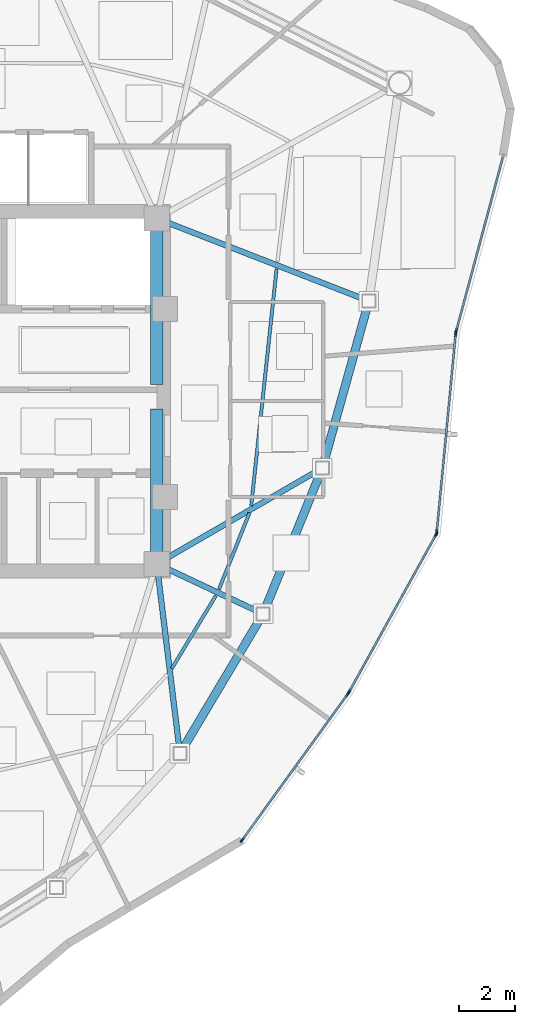
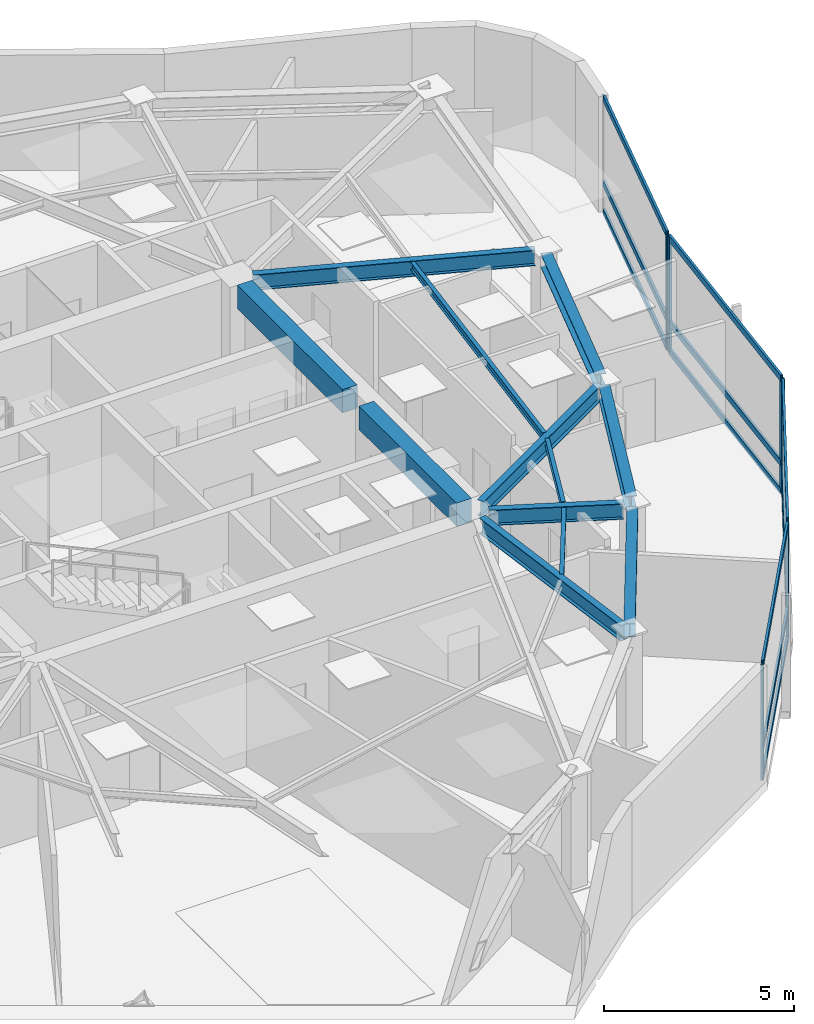
# One storey, part 4 of 12: 19 members, 12 beams, 4 elements without a shape of their own.
"""IFC4 building model written with IfcOpenShell, lengths in metres."""

from ifc_helpers import new_model, si_unit, direction, frame, origin, origin_2d, place, context, subcontext, project, spatial, rectangle, hollow_rectangle, i_section, extrude, source, transform, mapped, material, layer, layer_set, material_profile, profile_set, type_object, type_shapes, element, aggregate, save


model = new_model("IFC4")

# Units and contexts
model_context = context("Model", 3, precision=1e-05, world=origin(), true_north=direction((0.0, 1.0)))
body_context = subcontext(model_context, "Body", "Model", "MODEL_VIEW")
ifc_project = project(units=[si_unit("LENGTHUNIT", "METRE"), si_unit("AREAUNIT", "SQUARE_METRE"), si_unit("VOLUMEUNIT", "CUBIC_METRE"), si_unit("PLANEANGLEUNIT", "RADIAN"), si_unit("MASSUNIT", "GRAM", prefix="KILO")], contexts=[model_context])

# Site, building, storey
site_placement = place(None, origin())
site = spatial("IfcSite", under=ifc_project, at=site_placement, CompositionType="ELEMENT")
building_placement = place(site_placement, origin())
building = spatial("IfcBuilding", under=site, at=building_placement, Name="Tavelor Broadcast Tower", CompositionType="ELEMENT")
storey_placement = place(building_placement, frame((0.0, 0.0, 285.5)))
storey = spatial("IfcBuildingStorey", under=building, at=storey_placement, Name="L68", CompositionType="ELEMENT", Elevation=285.5)

# Beams
ifc_material_1 = material(Name="Concrete C40/50", Category="concrete")
ifc_material_profile_1 = material_profile(ifc_material_1, rectangle(XDim=0.449951171875, YDim=0.75, at=origin_2d()), Name="RC 450x750")
ifc_profile_set_1 = profile_set([ifc_material_profile_1], Name="Concrete C40/50")
beam_type_1 = type_object("IfcBeamType", Name="Basement Core Trim Beam 450x750", PredefinedType="BEAM", material=ifc_profile_set_1)
beam_1_placement = place(storey_placement, frame((56.60009765625, 45.23193359375, 3.324951171875), z_axis=(0.0, 1.0, 0.0), x_axis=(-1.0, 0.0, 0.0)))
element("IfcBeam", 1, at=beam_1_placement, inside=storey, type_object=beam_type_1, Name="L68 Core East-N Tie Girder", PredefinedType="BEAM", context=body_context, shape_type="SweptSolid", body=[
    extrude(rectangle(XDim=0.449951171875, YDim=0.75, at=origin_2d()), origin(), (0.0, 0.0, 1.0), 5.5361328125),
])
beam_2_placement = place(storey_placement, frame((56.60009765625, 39.23193359375, 3.324951171875), z_axis=(0.0, 1.0, 0.0), x_axis=(-1.0, 0.0, 0.0)))
element("IfcBeam", 2, at=beam_2_placement, inside=storey, type_object=beam_type_1, Name="L68 Core East-S Tie Girder", PredefinedType="BEAM", context=body_context, shape_type="SweptSolid", body=[
    extrude(rectangle(XDim=0.449951171875, YDim=0.75, at=origin_2d()), origin(), (0.0, 0.0, 1.0), 5.135986328125),
])
ifc_material_2 = material(Name="Steel S355", Category="steel")
ifc_material_profile_2 = material_profile(ifc_material_2, i_section(OverallWidth=0.1201171875, OverallDepth=0.239990234375, WebThickness=0.006103515625, FlangeThickness=0.009765625, at=origin_2d()), Name="IPE 240")
ifc_profile_set_2 = profile_set([ifc_material_profile_2], Name="Steel S355")
beam_type_2 = type_object("IfcBeamType", Name="Composite Floor Joist T7 IPE 240", PredefinedType="JOIST", material=ifc_profile_set_2)
beam_3_placement = place(storey_placement, frame((57.13916015625, 35.042724609375, 3.580078125), z_axis=(0.517298358592, 0.855805122793, 0.0), x_axis=(-0.855805122793, 0.517298358592, 0.0)))
element("IfcBeam", 3, at=beam_3_placement, inside=storey, type_object=beam_type_2, Name="L68 Secondary Composite Floor Joist 09", PredefinedType="JOIST", context=body_context, shape_type="SweptSolid", body=[
    extrude(i_section(OverallWidth=0.1201171875, OverallDepth=0.239990234375, WebThickness=0.006103515625, FlangeThickness=0.009765625, at=origin_2d()), origin(), (0.0, 0.0, 1.0), 3.058837890625),
])
beam_4_placement = place(storey_placement, frame((58.8359375, 37.890625, 3.580078125), z_axis=(0.370036486067, 0.929017222111, 0.0), x_axis=(-0.929017222111, 0.370036486067, 0.0)))
element("IfcBeam", 4, at=beam_4_placement, inside=storey, type_object=beam_type_2, Name="L68 Secondary Composite Floor Joist 10", PredefinedType="JOIST", context=body_context, shape_type="SweptSolid", body=[
    extrude(i_section(OverallWidth=0.1201171875, OverallDepth=0.239990234375, WebThickness=0.006103515625, FlangeThickness=0.009765625, at=origin_2d()), origin(), (0.0, 0.0, 1.0), 2.953857421875),
])
beam_5_placement = place(storey_placement, frame((59.990478515625, 40.8828125, 3.580078125), z_axis=(0.106517007909, 0.994310880473, 0.0), x_axis=(-0.994310880473, 0.106517007909, 0.0)))
element("IfcBeam", 5, at=beam_5_placement, inside=storey, type_object=beam_type_2, Name="L68 Secondary Composite Floor Joist 11", PredefinedType="JOIST", context=body_context, shape_type="SweptSolid", body=[
    extrude(i_section(OverallWidth=0.1201171875, OverallDepth=0.239990234375, WebThickness=0.006103515625, FlangeThickness=0.009765625, at=origin_2d()), origin(), (0.0, 0.0, 1.0), 8.558349609375),
])
ifc_material_profile_3 = material_profile(ifc_material_2, i_section(OverallWidth=0.300048828125, OverallDepth=0.43994140625, WebThickness=0.011474609375, FlangeThickness=0.02099609375, at=origin_2d()), Name="HEA 450")
ifc_profile_set_3 = profile_set([ifc_material_profile_3], Name="Steel S355")
beam_type_3 = type_object("IfcBeamType", Name="Perimeter Spandrel Beam T7 HEA 450", PredefinedType="SPANDREL", material=ifc_profile_set_3)
beam_6_placement = place(storey_placement, frame((57.55419921875, 32.1982421875, 3.47998046875), z_axis=(0.511838109634, 0.859081922477, 0.0), x_axis=(-0.859081922477, 0.511838109634, 0.0)))
element("IfcBeam", 6, at=beam_6_placement, inside=storey, type_object=beam_type_3, Name="L68 Framed-Tube Ring Spandrel 09", PredefinedType="SPANDREL", context=body_context, shape_type="SweptSolid", body=[
    extrude(i_section(OverallWidth=0.300048828125, OverallDepth=0.43994140625, WebThickness=0.011474609375, FlangeThickness=0.02099609375, at=origin_2d()), origin(), (0.0, 0.0, 1.0), 5.354736328125),
])
beam_7_placement = place(storey_placement, frame((60.5078125, 37.226806640625, 3.47998046875), z_axis=(0.376269405566, 0.926510299152, 0.0), x_axis=(-0.926510299152, 0.376269405566, 0.0)))
element("IfcBeam", 7, at=beam_7_placement, inside=storey, type_object=beam_type_3, Name="L68 Framed-Tube Ring Spandrel 10", PredefinedType="SPANDREL", context=body_context, shape_type="SweptSolid", body=[
    extrude(i_section(OverallWidth=0.300048828125, OverallDepth=0.43994140625, WebThickness=0.011474609375, FlangeThickness=0.02099609375, at=origin_2d()), origin(), (0.0, 0.0, 1.0), 5.17138671875),
])
beam_8_placement = place(storey_placement, frame((62.608154296875, 42.4716796875, 3.47998046875), z_axis=(0.268356099851, 0.963319782664, 0.0), x_axis=(-0.963319782664, 0.268356099851, 0.0)))
element("IfcBeam", 8, at=beam_8_placement, inside=storey, type_object=beam_type_3, Name="L68 Framed-Tube Ring Spandrel 11", PredefinedType="SPANDREL", context=body_context, shape_type="SweptSolid", body=[
    extrude(i_section(OverallWidth=0.300048828125, OverallDepth=0.43994140625, WebThickness=0.011474609375, FlangeThickness=0.02099609375, at=origin_2d()), origin(), (0.0, 0.0, 1.0), 5.7451171875),
])
ifc_material_profile_4 = material_profile(ifc_material_2, i_section(OverallWidth=0.199951171875, OverallDepth=0.5, WebThickness=0.01025390625, FlangeThickness=0.01611328125, at=origin_2d()), Name="IPE 500")
ifc_profile_set_4 = profile_set([ifc_material_profile_4], Name="Steel S355")
beam_type_4 = type_object("IfcBeamType", Name="Radial Floor Girder T7 IPE 500", PredefinedType="BEAM", material=ifc_profile_set_4)
beam_9_placement = place(storey_placement, frame((56.65234375, 38.37109375, 3.449951171875), z_axis=(0.121231727596, -0.992624233144, 0.0), x_axis=(0.992624233144, 0.121231727596, 0.0)))
element("IfcBeam", 9, at=beam_9_placement, inside=storey, type_object=beam_type_4, Name="L68 Radial Primary Floor Girder 09", PredefinedType="BEAM", context=body_context, shape_type="SweptSolid", body=[
    extrude(i_section(OverallWidth=0.199951171875, OverallDepth=0.5, WebThickness=0.01025390625, FlangeThickness=0.01611328125, at=origin_2d()), origin(), (0.0, 0.0, 1.0), 6.1865234375),
])
beam_10_placement = place(storey_placement, frame((56.990966796875, 38.6162109375, 3.449951171875), z_axis=(0.904907602736, -0.425608071483, 0.0), x_axis=(0.425608071483, 0.904907602736, 0.0)))
element("IfcBeam", 10, at=beam_10_placement, inside=storey, type_object=beam_type_4, Name="L68 Radial Primary Floor Girder 10", PredefinedType="BEAM", context=body_context, shape_type="SweptSolid", body=[
    extrude(i_section(OverallWidth=0.199951171875, OverallDepth=0.5, WebThickness=0.01025390625, FlangeThickness=0.01611328125, at=origin_2d()), origin(), (0.0, 0.0, 1.0), 3.546630859375),
])
beam_11_placement = place(storey_placement, frame((56.973876953125, 39.016357421875, 3.449951171875), z_axis=(0.865460455047, 0.500977245741, 0.0), x_axis=(-0.500977245741, 0.865460455047, 0.0)))
element("IfcBeam", 11, at=beam_11_placement, inside=storey, type_object=beam_type_4, Name="L68 Radial Primary Floor Girder 11", PredefinedType="BEAM", context=body_context, shape_type="SweptSolid", body=[
    extrude(i_section(OverallWidth=0.199951171875, OverallDepth=0.5, WebThickness=0.01025390625, FlangeThickness=0.01611328125, at=origin_2d()), origin(), (0.0, 0.0, 1.0), 6.19580078125),
])
beam_12_placement = place(storey_placement, frame((57.002685546875, 51.04345703125, 3.449951171875), z_axis=(0.931940498833, -0.362611233466, 0.0), x_axis=(0.362611233466, 0.931940498833, 0.0)))
element("IfcBeam", 12, at=beam_12_placement, inside=storey, type_object=beam_type_4, Name="L68 Radial Primary Floor Girder 12", PredefinedType="BEAM", context=body_context, shape_type="SweptSolid", body=[
    extrude(i_section(OverallWidth=0.199951171875, OverallDepth=0.5, WebThickness=0.01025390625, FlangeThickness=0.01611328125, at=origin_2d()), origin(), (0.0, 0.0, 1.0), 7.498291015625),
])

# Curtain wall, members
ifc_material_3 = material(Name="Architectural Anodized Aluminium", Category="aluminium")
ifc_layer = layer(ifc_material_3, 0.199951171875)
ifc_layer_set = layer_set([ifc_layer], Name="Architectural Anodized Aluminium")
curtain_wall_type = type_object("IfcCurtainWallType", Name="Tower High-Zone Triple-Glazed Curtain Wall CW04", PredefinedType="NOTDEFINED", material=ifc_layer_set)
curtain_wall_1_placement = place(storey_placement, origin())
curtain_wall_1 = element("IfcCurtainWall", 13, at=curtain_wall_1_placement, inside=storey, type_object=curtain_wall_type, Name="L68 Curtain Wall CW04 Run 749", PredefinedType="NOTDEFINED")
ifc_material_profile_5 = material_profile(ifc_material_3, hollow_rectangle(XDim=0.070068359375, YDim=0.199951171875, WallThickness=0.02197265625, at=origin_2d()), Name="RHS 70x200x22")
ifc_profile_set_5 = profile_set([ifc_material_profile_5], Name="Architectural Anodized Aluminium")
member_type_1 = type_object("IfcMemberType", Name="CW04 Extruded Aluminium Mullion 70x200", PredefinedType="MULLION", material=ifc_profile_set_5)
shared_shape_1 = source(origin(), body_context, "Body", "SweptSolid", [
    extrude(hollow_rectangle(XDim=0.070068359375, YDim=0.199951171875, WallThickness=0.02197265625, at=origin_2d()), origin(), (0.0, 0.0, 1.0), 3.699951171875),
])
type_shapes(member_type_1, [shared_shape_1])
member_1_placement = place(storey_placement, frame((59.666748046875, 28.88525390625, 0.0), z_axis=(0.0, 0.0, 1.0), x_axis=(-0.810288933923, 0.586030582447, 0.0)))
member_1 = element("IfcMember", 14, at=member_1_placement, type_object=member_type_1, Name="CW04 mullion 1", PredefinedType="MULLION", context=body_context, shape_type="MappedRepresentation", body=[
    mapped(shared_shape_1, transform((0.0, 0.0, 0.0), scale=1.0)),
])
member_2_placement = place(storey_placement, frame((63.452392578125, 34.119140625, 0.0), z_axis=(0.0, 0.0, 1.0), x_axis=(-0.810288933923, 0.586030582447, 0.0)))
member_2 = element("IfcMember", 15, at=member_2_placement, type_object=member_type_1, Name="CW04 mullion 2", PredefinedType="MULLION", context=body_context, shape_type="MappedRepresentation", body=[
    mapped(shared_shape_1, transform((0.0, 0.0, 0.0), scale=1.0)),
])

curtain_wall_2_placement = place(storey_placement, origin())
curtain_wall_2 = element("IfcCurtainWall", 16, at=curtain_wall_2_placement, inside=storey, type_object=curtain_wall_type, Name="L68 Curtain Wall CW04 Run 750", PredefinedType="NOTDEFINED")
member_3_placement = place(storey_placement, frame((63.505615234375, 34.20361328125, 0.0), z_axis=(0.0, 0.0, 1.0), x_axis=(-0.875257097532, 0.483657950642, 0.0)))
member_3 = element("IfcMember", 17, at=member_3_placement, type_object=member_type_1, Name="CW04 mullion 1", PredefinedType="MULLION", context=body_context, shape_type="MappedRepresentation", body=[
    mapped(shared_shape_1, transform((0.0, 0.0, 0.0), scale=1.0)),
])
member_4_placement = place(storey_placement, frame((66.62255859375, 39.843994140625, 0.0), z_axis=(0.0, 0.0, 1.0), x_axis=(-0.875257097532, 0.483657950642, 0.0)))
member_4 = element("IfcMember", 18, at=member_4_placement, type_object=member_type_1, Name="CW04 mullion 2", PredefinedType="MULLION", context=body_context, shape_type="MappedRepresentation", body=[
    mapped(shared_shape_1, transform((0.0, 0.0, 0.0), scale=1.0)),
])

curtain_wall_3_placement = place(storey_placement, origin())
curtain_wall_3 = element("IfcCurtainWall", 19, at=curtain_wall_3_placement, inside=storey, type_object=curtain_wall_type, Name="L68 Curtain Wall CW04 Run 751", PredefinedType="NOTDEFINED")
member_5_placement = place(storey_placement, frame((66.651611328125, 39.9375, 0.0), z_axis=(0.0, 0.0, 1.0), x_axis=(-0.995477014077, 0.09500270756, 0.0)))
member_5 = element("IfcMember", 20, at=member_5_placement, type_object=member_type_1, Name="CW04 mullion 1", PredefinedType="MULLION", context=body_context, shape_type="MappedRepresentation", body=[
    mapped(shared_shape_1, transform((0.0, 0.0, 0.0), scale=1.0)),
])
member_6_placement = place(storey_placement, frame((67.330322265625, 47.0498046875, 0.0), z_axis=(0.0, 0.0, 1.0), x_axis=(-0.995477014077, 0.09500270756, 0.0)))
member_6 = element("IfcMember", 21, at=member_6_placement, type_object=member_type_1, Name="CW04 mullion 2", PredefinedType="MULLION", context=body_context, shape_type="MappedRepresentation", body=[
    mapped(shared_shape_1, transform((0.0, 0.0, 0.0), scale=1.0)),
])

# Curtain wall, member
curtain_wall_4_placement = place(storey_placement, origin())
curtain_wall_4 = element("IfcCurtainWall", 22, at=curtain_wall_4_placement, inside=storey, type_object=curtain_wall_type, Name="L68 Curtain Wall CW04 Run 752", PredefinedType="NOTDEFINED")
member_7_placement = place(storey_placement, frame((67.347900390625, 47.14794921875, 0.0), z_axis=(0.0, 0.0, 1.0), x_axis=(-0.965821746804, 0.259207163097, 0.0)))
member_7 = element("IfcMember", 23, at=member_7_placement, type_object=member_type_1, Name="CW04 mullion 1", PredefinedType="MULLION", context=body_context, shape_type="MappedRepresentation", body=[
    mapped(shared_shape_1, transform((0.0, 0.0, 0.0), scale=1.0)),
])

# Member
ifc_material_profile_6 = material_profile(ifc_material_3, hollow_rectangle(XDim=0.070068359375, YDim=0.199951171875, WallThickness=0.02197265625, at=origin_2d()), Name="RHS 70x200x22")
ifc_profile_set_6 = profile_set([ifc_material_profile_6], Name="Architectural Anodized Aluminium")
member_type_2 = type_object("IfcMemberType", Name="CW04 Extruded Aluminium Transom 70x200", PredefinedType="USERDEFINED", material=ifc_profile_set_6)
shared_shape_2 = source(origin(), body_context, "Body", "SweptSolid", [
    extrude(hollow_rectangle(XDim=0.070068359375, YDim=0.199951171875, WallThickness=0.02197265625, at=origin_2d()), origin(), (0.0, 0.0, 1.0), 6.3896484375),
])
member_8_placement = place(storey_placement, frame((59.687255859375, 28.91357421875, 0.034912109375), z_axis=(0.586056810106, 0.810269964474, 0.0), x_axis=(-0.810269964474, 0.586056810106, 0.0)))
member_8 = element("IfcMember", 24, at=member_8_placement, type_object=member_type_2, Name="CW04 transom 1.1", ObjectType="TRANSOM", PredefinedType="USERDEFINED", context=body_context, shape_type="MappedRepresentation", body=[
    mapped(shared_shape_2, transform((0.0, 0.0, 0.0), scale=1.0)),
])

member_9_placement = place(storey_placement, frame((59.687255859375, 28.91357421875, 0.949951171875), z_axis=(0.586056810106, 0.810269964474, 0.0), x_axis=(-0.810269964474, 0.586056810106, 0.0)))
member_9 = element("IfcMember", 25, at=member_9_placement, type_object=member_type_2, Name="CW04 transom 1.2", ObjectType="TRANSOM", PredefinedType="USERDEFINED", context=body_context, shape_type="MappedRepresentation", body=[
    mapped(shared_shape_2, transform((0.0, 0.0, 0.0), scale=1.0)),
])

member_10_placement = place(storey_placement, frame((59.687255859375, 28.91357421875, 3.6650390625), z_axis=(0.586056810106, 0.810269964474, 0.0), x_axis=(-0.810269964474, 0.586056810106, 0.0)))
member_10 = element("IfcMember", 26, at=member_10_placement, type_object=member_type_2, Name="CW04 transom 1.3", ObjectType="TRANSOM", PredefinedType="USERDEFINED", context=body_context, shape_type="MappedRepresentation", body=[
    mapped(shared_shape_2, transform((0.0, 0.0, 0.0), scale=1.0)),
])

aggregate(curtain_wall_1, [member_1, member_2, member_8, member_9, member_10])

shared_shape_3 = source(origin(), body_context, "Body", "SweptSolid", [
    extrude(hollow_rectangle(XDim=0.070068359375, YDim=0.199951171875, WallThickness=0.02197265625, at=origin_2d()), origin(), (0.0, 0.0, 1.0), 6.374267578125),
])
member_11_placement = place(storey_placement, frame((63.522705078125, 34.234130859375, 0.034912109375), z_axis=(0.483664492328, 0.875253482633, 0.0), x_axis=(-0.875253482633, 0.483664492328, 0.0)))
member_11 = element("IfcMember", 27, at=member_11_placement, type_object=member_type_2, Name="CW04 transom 1.1", ObjectType="TRANSOM", PredefinedType="USERDEFINED", context=body_context, shape_type="MappedRepresentation", body=[
    mapped(shared_shape_3, transform((0.0, 0.0, 0.0), scale=1.0)),
])

member_12_placement = place(storey_placement, frame((63.522705078125, 34.234130859375, 0.949951171875), z_axis=(0.483664492328, 0.875253482633, 0.0), x_axis=(-0.875253482633, 0.483664492328, 0.0)))
member_12 = element("IfcMember", 28, at=member_12_placement, type_object=member_type_2, Name="CW04 transom 1.2", ObjectType="TRANSOM", PredefinedType="USERDEFINED", context=body_context, shape_type="MappedRepresentation", body=[
    mapped(shared_shape_3, transform((0.0, 0.0, 0.0), scale=1.0)),
])

member_13_placement = place(storey_placement, frame((63.522705078125, 34.234130859375, 3.6650390625), z_axis=(0.483664492328, 0.875253482633, 0.0), x_axis=(-0.875253482633, 0.483664492328, 0.0)))
member_13 = element("IfcMember", 29, at=member_13_placement, type_object=member_type_2, Name="CW04 transom 1.3", ObjectType="TRANSOM", PredefinedType="USERDEFINED", context=body_context, shape_type="MappedRepresentation", body=[
    mapped(shared_shape_3, transform((0.0, 0.0, 0.0), scale=1.0)),
])

aggregate(curtain_wall_2, [member_3, member_4, member_11, member_12, member_13])

shared_shape_4 = source(origin(), body_context, "Body", "SweptSolid", [
    extrude(hollow_rectangle(XDim=0.070068359375, YDim=0.199951171875, WallThickness=0.02197265625, at=origin_2d()), origin(), (0.0, 0.0, 1.0), 7.074462890625),
])
member_14_placement = place(storey_placement, frame((66.65478515625, 39.972412109375, 0.034912109375), z_axis=(0.095006146991, 0.995476685831, 0.0), x_axis=(-0.995476685831, 0.095006146991, 0.0)))
member_14 = element("IfcMember", 30, at=member_14_placement, type_object=member_type_2, Name="CW04 transom 1.1", ObjectType="TRANSOM", PredefinedType="USERDEFINED", context=body_context, shape_type="MappedRepresentation", body=[
    mapped(shared_shape_4, transform((0.0, 0.0, 0.0), scale=1.0)),
])

member_15_placement = place(storey_placement, frame((66.65478515625, 39.972412109375, 0.949951171875), z_axis=(0.095006146991, 0.995476685831, 0.0), x_axis=(-0.995476685831, 0.095006146991, 0.0)))
member_15 = element("IfcMember", 31, at=member_15_placement, type_object=member_type_2, Name="CW04 transom 1.2", ObjectType="TRANSOM", PredefinedType="USERDEFINED", context=body_context, shape_type="MappedRepresentation", body=[
    mapped(shared_shape_4, transform((0.0, 0.0, 0.0), scale=1.0)),
])

member_16_placement = place(storey_placement, frame((66.65478515625, 39.972412109375, 3.6650390625), z_axis=(0.095006146991, 0.995476685831, 0.0), x_axis=(-0.995476685831, 0.095006146991, 0.0)))
member_16 = element("IfcMember", 32, at=member_16_placement, type_object=member_type_2, Name="CW04 transom 1.3", ObjectType="TRANSOM", PredefinedType="USERDEFINED", context=body_context, shape_type="MappedRepresentation", body=[
    mapped(shared_shape_4, transform((0.0, 0.0, 0.0), scale=1.0)),
])

aggregate(curtain_wall_3, [member_5, member_6, member_14, member_15, member_16])

shared_shape_5 = source(origin(), body_context, "Body", "SweptSolid", [
    extrude(hollow_rectangle(XDim=0.070068359375, YDim=0.199951171875, WallThickness=0.02197265625, at=origin_2d()), origin(), (0.0, 0.0, 1.0), 6.431396484375),
])
type_shapes(member_type_2, [shared_shape_2, shared_shape_3, shared_shape_4, shared_shape_5])
member_17_placement = place(storey_placement, frame((67.35693359375, 47.181640625, 0.034912109375), z_axis=(0.259238256369, 0.965813401457, 0.0), x_axis=(-0.965813401457, 0.259238256369, 0.0)))
member_17 = element("IfcMember", 33, at=member_17_placement, type_object=member_type_2, Name="CW04 transom 1.1", ObjectType="TRANSOM", PredefinedType="USERDEFINED", context=body_context, shape_type="MappedRepresentation", body=[
    mapped(shared_shape_5, transform((0.0, 0.0, 0.0), scale=1.0)),
])

member_18_placement = place(storey_placement, frame((67.35693359375, 47.181640625, 0.949951171875), z_axis=(0.259238256369, 0.965813401457, 0.0), x_axis=(-0.965813401457, 0.259238256369, 0.0)))
member_18 = element("IfcMember", 34, at=member_18_placement, type_object=member_type_2, Name="CW04 transom 1.2", ObjectType="TRANSOM", PredefinedType="USERDEFINED", context=body_context, shape_type="MappedRepresentation", body=[
    mapped(shared_shape_5, transform((0.0, 0.0, 0.0), scale=1.0)),
])

member_19_placement = place(storey_placement, frame((67.35693359375, 47.181640625, 3.6650390625), z_axis=(0.259238256369, 0.965813401457, 0.0), x_axis=(-0.965813401457, 0.259238256369, 0.0)))
member_19 = element("IfcMember", 35, at=member_19_placement, type_object=member_type_2, Name="CW04 transom 1.3", ObjectType="TRANSOM", PredefinedType="USERDEFINED", context=body_context, shape_type="MappedRepresentation", body=[
    mapped(shared_shape_5, transform((0.0, 0.0, 0.0), scale=1.0)),
])

aggregate(curtain_wall_4, [member_7, member_17, member_18, member_19])

save(model, "model.ifc")
